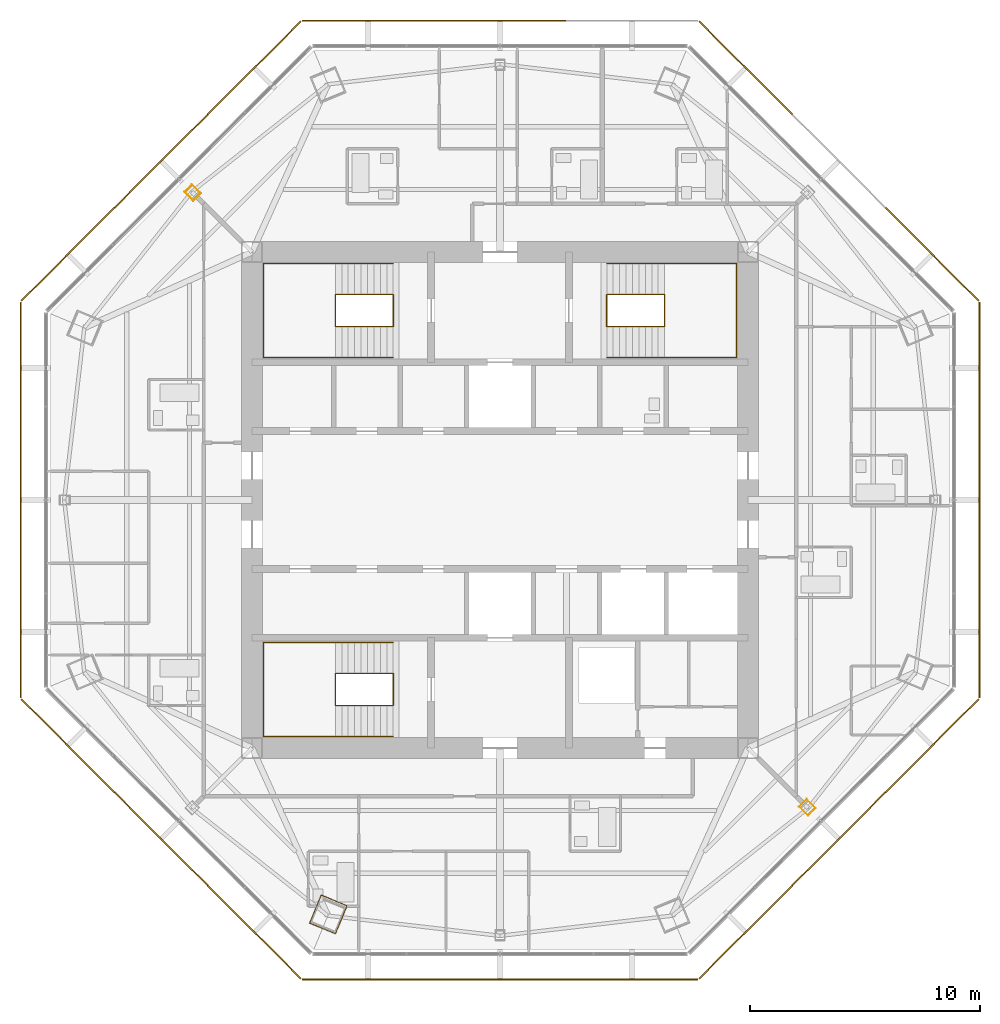
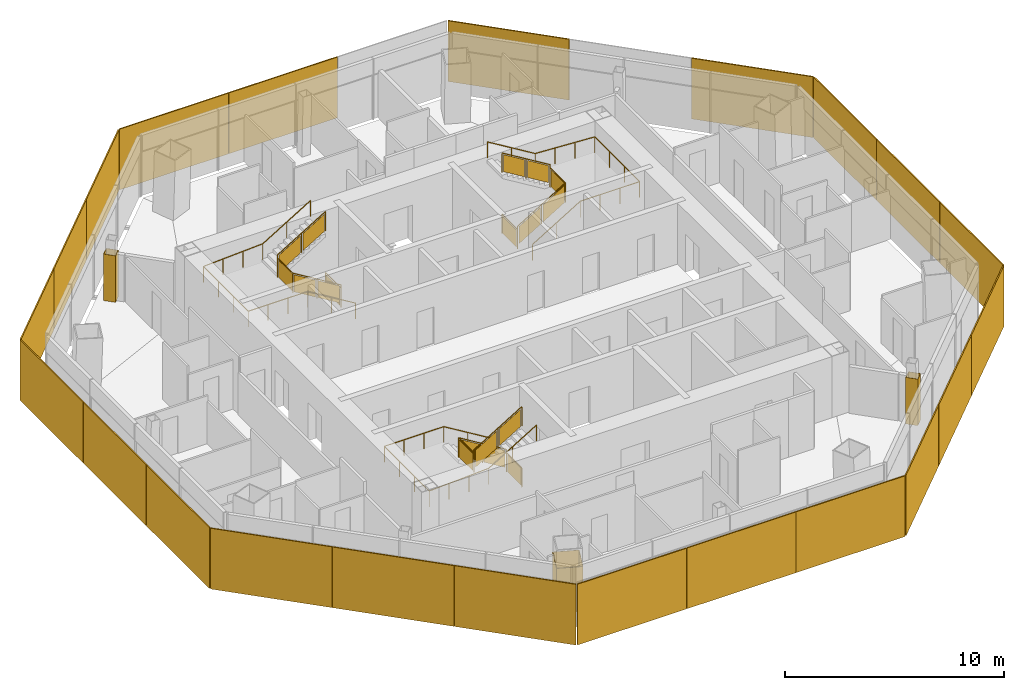
# One storey, part 13 of 15: 22 shading devices, 6 railings, 3 coverings.
"""IFC4 building model written with IfcOpenShell, lengths in metres."""

from ifc_helpers import new_model, si_unit, direction, frame, origin, origin_2d, place, context, subcontext, project, spatial, polyline, rectangle, circle, outline, extrude, source, transform, mapped, material, layer, layer_set, type_object, type_shapes, element, save


model = new_model("IFC4")

# Units and contexts
model_context = context("Model", 3, precision=1e-05, world=origin(), true_north=direction((0.0, 1.0)))
body_context = subcontext(model_context, "Body", "Model", "MODEL_VIEW")
ifc_project = project(units=[si_unit("LENGTHUNIT", "METRE"), si_unit("AREAUNIT", "SQUARE_METRE"), si_unit("VOLUMEUNIT", "CUBIC_METRE"), si_unit("PLANEANGLEUNIT", "RADIAN"), si_unit("MASSUNIT", "GRAM", prefix="KILO")], contexts=[model_context])

# Site, building, storey
site_placement = place(None, origin())
site = spatial("IfcSite", under=ifc_project, at=site_placement, CompositionType="ELEMENT")
building_placement = place(site_placement, origin())
building = spatial("IfcBuilding", under=site, at=building_placement, Name="Mashrafa Tower", CompositionType="ELEMENT")
storey_placement = place(building_placement, frame((0.0, 0.0, 291.199951171875)))
storey = spatial("IfcBuildingStorey", under=building, at=storey_placement, Name="L71", CompositionType="ELEMENT", Elevation=291.199951171875)

# Coverings
ifc_material_1 = material(Name="Gypsum board")
ifc_layer_1 = layer(ifc_material_1, 0.014892578125)
ifc_layer_set_1 = layer_set([ifc_layer_1], Name="Column casing plasterboard 15")
covering_type = type_object("IfcCoveringType", Name="Column casing plasterboard 15", PredefinedType="CLADDING", material=ifc_layer_set_1)
covering_1_placement = place(storey_placement, origin())
element("IfcCovering", 1, at=covering_1_placement, inside=storey, type_object=covering_type, Name="Column casing L71-001", PredefinedType="CLADDING", context=body_context, shape_type="SweptSolid", body=[
    extrude(outline(polyline([(-8.30029296875, -18.431884765625), (-8.2548828125, -18.322021484375), (-7.789794921875, -17.198974609375), (-6.6533203125, -17.669677734375), (-7.118408203125, -18.79248046875), (-7.1640625, -18.902587890625), (-8.30029296875, -18.431884765625)]), holes=[polyline([(-7.13232421875, -18.786865234375), (-6.6728515625, -17.677734375), (-7.781494140625, -17.218505859375), (-8.240966796875, -18.32763671875), (-8.28076171875, -18.423828125), (-7.172119140625, -18.883056640625), (-7.13232421875, -18.786865234375)])]), origin(), (0.0, 0.0, 1.0), 2.49658203125),
])
covering_2_placement = place(storey_placement, origin())
element("IfcCovering", 2, at=covering_2_placement, inside=storey, type_object=covering_type, Name="Column casing L71-002", PredefinedType="CLADDING", context=body_context, shape_type="SweptSolid", body=[
    extrude(outline(polyline([(-13.75830078125, 13.4189453125), (-13.4189453125, 13.75830078125), (-13.01123046875, 13.350830078125), (-13.350830078125, 13.01123046875), (-13.75830078125, 13.4189453125)]), holes=[polyline([(-13.03271484375, 13.350830078125), (-13.4189453125, 13.737060546875), (-13.737060546875, 13.4189453125), (-13.350830078125, 13.03271484375), (-13.03271484375, 13.350830078125)])]), origin(), (0.0, 0.0, 1.0), 2.590576171875),
])
covering_3_placement = place(storey_placement, origin())
element("IfcCovering", 3, at=covering_3_placement, inside=storey, type_object=covering_type, Name="Column casing L71-003", PredefinedType="CLADDING", context=body_context, shape_type="SweptSolid", body=[
    extrude(outline(polyline([(13.01123046875, -13.350830078125), (13.350830078125, -13.01123046875), (13.75830078125, -13.4189453125), (13.4189453125, -13.75830078125), (13.01123046875, -13.350830078125)]), holes=[polyline([(13.737060546875, -13.4189453125), (13.350830078125, -13.03271484375), (13.03271484375, -13.350830078125), (13.4189453125, -13.737060546875), (13.737060546875, -13.4189453125)])]), origin(), (0.0, 0.0, 1.0), 2.590576171875),
])

# Railings
ifc_material_2 = material(Name="Steel guard with glass infill", Category="steel")
railing_type_1 = type_object("IfcRailingType", Name="Stair guard 1100", PredefinedType="GUARDRAIL", material=ifc_material_2)
railing_1_placement = place(storey_placement, frame((-4.64990234375, 8.949951171875, 0.0)))
element("IfcRailing", 4, at=railing_1_placement, inside=storey, type_object=railing_type_1, Name="Stair S1 guard L71", PredefinedType="GUARDRAIL", context=body_context, shape_type="SweptSolid", body=[
    extrude(circle(Radius=0.02392578125, at=origin_2d()), frame((0.0, 0.0, 1.076171875), z_axis=(0.0, -1.0, 0.0), x_axis=(1.0, 0.0, 0.0)), (0.0, 0.0, 1.0), 1.39990234375),
    extrude(circle(Radius=0.02392578125, at=origin_2d()), frame((0.0, -1.39990234375, 1.076171875), z_axis=(0.0, 0.0, 1.0), x_axis=(1.0, 0.0, 0.0)), (0.0, 0.0, 1.0), 0.170166015625),
    extrude(circle(Radius=0.02392578125, at=origin_2d()), frame((0.0, -1.39990234375, 1.24609375), z_axis=(-0.854821627497, 0.0, 0.518921945155), x_axis=(0.0, -1.0, 0.0)), (0.0, 0.0, 1.0), 2.947998046875),
    extrude(circle(Radius=0.02392578125, at=origin_2d()), frame((-2.52001953125, -1.39990234375, 2.77587890625), z_axis=(0.0, 1.0, 0.0), x_axis=(-1.0, 0.0, 0.0)), (0.0, 0.0, 1.0), 1.39990234375),
    extrude(circle(Radius=0.02392578125, at=origin_2d()), frame((-2.52001953125, 0.0, 2.77587890625), z_axis=(0.0, 0.0, 1.0), x_axis=(1.0, 0.0, 0.0)), (0.0, 0.0, 1.0), 0.170166015625),
    extrude(circle(Radius=0.02392578125, at=origin_2d()), frame((-2.52001953125, 0.0, 2.9462890625), z_axis=(0.85478489116, 0.0, 0.518982456201), x_axis=(0.0, 1.0, 0.0)), (0.0, 0.0, 1.0), 2.9482421875),
    extrude(circle(Radius=0.02099609375, at=origin_2d()), origin(), (0.0, 0.0, 1.0), 1.052001953125),
    extrude(circle(Radius=0.02099609375, at=origin_2d()), frame((0.0, -1.39990234375, 0.0)), (0.0, 0.0, 1.0), 1.052001953125),
    extrude(circle(Radius=0.02099609375, at=origin_2d()), frame((0.0, -1.39990234375, 0.170166015625)), (0.0, 0.0, 1.0), 1.052001953125),
    extrude(circle(Radius=0.02099609375, at=origin_2d()), frame((-1.260009765625, -1.39990234375, 0.93505859375)), (0.0, 0.0, 1.0), 1.052001953125),
    extrude(circle(Radius=0.02099609375, at=origin_2d()), frame((-2.52001953125, -1.39990234375, 1.699951171875)), (0.0, 0.0, 1.0), 1.052001953125),
    extrude(circle(Radius=0.02099609375, at=origin_2d()), frame((-2.52001953125, 0.0, 1.699951171875)), (0.0, 0.0, 1.0), 1.052001953125),
    extrude(circle(Radius=0.02099609375, at=origin_2d()), frame((-2.52001953125, 0.0, 1.8701171875)), (0.0, 0.0, 1.0), 1.052001953125),
    extrude(circle(Radius=0.02099609375, at=origin_2d()), frame((-1.260009765625, 0.0, 2.63525390625)), (0.0, 0.0, 1.0), 1.052001953125),
    extrude(circle(Radius=0.02099609375, at=origin_2d()), frame((0.0, 0.0, 3.400146484375)), (0.0, 0.0, 1.0), 1.052001953125),
    extrude(outline(polyline([(0.071044921875, 0.050048828125), (1.328857421875, 0.050048828125), (1.328857421875, 1.001953125), (0.071044921875, 1.001953125), (0.071044921875, 0.050048828125)])), frame((-0.006103515625, 0.0, 0.0), z_axis=(-1.0, 0.0, 0.0), x_axis=(0.0, -1.0, 0.0)), (0.0, 0.0, 1.0), 0.011962890625),
    extrude(outline(polyline([(0.071044921875, 0.093017578125), (1.18896484375, 0.771728515625), (1.18896484375, 1.723876953125), (0.071044921875, 1.045166015625), (0.071044921875, 0.093017578125)])), frame((0.0, -1.393798828125, 0.170166015625), z_axis=(0.0, 1.0, 0.0), x_axis=(-1.0, 0.0, 0.0)), (0.0, 0.0, 1.0), 0.011962890625),
    extrude(outline(polyline([(1.3310546875, 0.85791015625), (2.448974609375, 1.53662109375), (2.448974609375, 2.48876953125), (1.3310546875, 1.81005859375), (1.3310546875, 0.85791015625)])), frame((0.0, -1.393798828125, 0.170166015625), z_axis=(0.0, 1.0, 0.0), x_axis=(-1.0, 0.0, 0.0)), (0.0, 0.0, 1.0), 0.011962890625),
    extrude(outline(polyline([(0.071044921875, 0.050048828125), (1.328857421875, 0.050048828125), (1.328857421875, 1.001953125), (0.071044921875, 1.001953125), (0.071044921875, 0.050048828125)])), frame((-2.513916015625, -1.39990234375, 1.699951171875), z_axis=(1.0, 0.0, 0.0), x_axis=(0.0, 1.0, 0.0)), (0.0, 0.0, 1.0), 0.011962890625),
    extrude(outline(polyline([(0.071044921875, 0.093017578125), (1.18896484375, 0.77197265625), (1.18896484375, 1.723876953125), (0.071044921875, 1.045166015625), (0.071044921875, 0.093017578125)])), frame((-2.52001953125, -0.006103515625, 1.8701171875), z_axis=(0.0, -1.0, 0.0), x_axis=(1.0, 0.0, 0.0)), (0.0, 0.0, 1.0), 0.011962890625),
    extrude(outline(polyline([(1.3310546875, 0.858154296875), (2.448974609375, 1.536865234375), (2.448974609375, 2.489013671875), (1.3310546875, 1.81005859375), (1.3310546875, 0.858154296875)])), frame((-2.52001953125, -0.006103515625, 1.8701171875), z_axis=(0.0, -1.0, 0.0), x_axis=(1.0, 0.0, 0.0)), (0.0, 0.0, 1.0), 0.011962890625),
])
railing_2_placement = place(storey_placement, frame((4.64990234375, 8.949951171875, 0.0)))
element("IfcRailing", 5, at=railing_2_placement, inside=storey, type_object=railing_type_1, Name="Stair S2 guard L71", PredefinedType="GUARDRAIL", context=body_context, shape_type="SweptSolid", body=[
    extrude(circle(Radius=0.02392578125, at=origin_2d()), frame((0.0, 0.0, 1.076171875), z_axis=(0.0, -1.0, 0.0), x_axis=(1.0, 0.0, 0.0)), (0.0, 0.0, 1.0), 1.39990234375),
    extrude(circle(Radius=0.02392578125, at=origin_2d()), frame((0.0, -1.39990234375, 1.076171875), z_axis=(0.0, 0.0, 1.0), x_axis=(1.0, 0.0, 0.0)), (0.0, 0.0, 1.0), 0.170166015625),
    extrude(circle(Radius=0.02392578125, at=origin_2d()), frame((0.0, -1.39990234375, 1.24609375), z_axis=(0.854821627497, 0.0, 0.518921945155), x_axis=(0.0, 1.0, 0.0)), (0.0, 0.0, 1.0), 2.947998046875),
    extrude(circle(Radius=0.02392578125, at=origin_2d()), frame((2.52001953125, -1.39990234375, 2.77587890625), z_axis=(0.0, 1.0, 0.0), x_axis=(-1.0, 0.0, 0.0)), (0.0, 0.0, 1.0), 1.39990234375),
    extrude(circle(Radius=0.02392578125, at=origin_2d()), frame((2.52001953125, 0.0, 2.77587890625), z_axis=(0.0, 0.0, 1.0), x_axis=(1.0, 0.0, 0.0)), (0.0, 0.0, 1.0), 0.170166015625),
    extrude(circle(Radius=0.02392578125, at=origin_2d()), frame((2.52001953125, 0.0, 2.9462890625), z_axis=(-0.85478489116, 0.0, 0.518982456201), x_axis=(0.0, -1.0, 0.0)), (0.0, 0.0, 1.0), 2.9482421875),
    extrude(circle(Radius=0.02099609375, at=origin_2d()), origin(), (0.0, 0.0, 1.0), 1.052001953125),
    extrude(circle(Radius=0.02099609375, at=origin_2d()), frame((0.0, -1.39990234375, 0.0)), (0.0, 0.0, 1.0), 1.052001953125),
    extrude(circle(Radius=0.02099609375, at=origin_2d()), frame((0.0, -1.39990234375, 0.170166015625)), (0.0, 0.0, 1.0), 1.052001953125),
    extrude(circle(Radius=0.02099609375, at=origin_2d()), frame((1.260009765625, -1.39990234375, 0.93505859375)), (0.0, 0.0, 1.0), 1.052001953125),
    extrude(circle(Radius=0.02099609375, at=origin_2d()), frame((2.52001953125, -1.39990234375, 1.699951171875)), (0.0, 0.0, 1.0), 1.052001953125),
    extrude(circle(Radius=0.02099609375, at=origin_2d()), frame((2.52001953125, 0.0, 1.699951171875)), (0.0, 0.0, 1.0), 1.052001953125),
    extrude(circle(Radius=0.02099609375, at=origin_2d()), frame((2.52001953125, 0.0, 1.8701171875)), (0.0, 0.0, 1.0), 1.052001953125),
    extrude(circle(Radius=0.02099609375, at=origin_2d()), frame((1.260009765625, 0.0, 2.63525390625)), (0.0, 0.0, 1.0), 1.052001953125),
    extrude(circle(Radius=0.02099609375, at=origin_2d()), frame((0.0, 0.0, 3.400146484375)), (0.0, 0.0, 1.0), 1.052001953125),
    extrude(outline(polyline([(0.071044921875, 0.050048828125), (1.328857421875, 0.050048828125), (1.328857421875, 1.001953125), (0.071044921875, 1.001953125), (0.071044921875, 0.050048828125)])), frame((-0.006103515625, 0.0, 0.0), z_axis=(-1.0, 0.0, 0.0), x_axis=(0.0, -1.0, 0.0)), (0.0, 0.0, 1.0), 0.011962890625),
    extrude(outline(polyline([(0.071044921875, 0.093017578125), (1.18896484375, 0.771728515625), (1.18896484375, 1.723876953125), (0.071044921875, 1.045166015625), (0.071044921875, 0.093017578125)])), frame((0.0, -1.406005859375, 0.170166015625), z_axis=(0.0, -1.0, 0.0), x_axis=(1.0, 0.0, 0.0)), (0.0, 0.0, 1.0), 0.011962890625),
    extrude(outline(polyline([(1.3310546875, 0.85791015625), (2.448974609375, 1.53662109375), (2.448974609375, 2.48876953125), (1.3310546875, 1.81005859375), (1.3310546875, 0.85791015625)])), frame((0.0, -1.406005859375, 0.170166015625), z_axis=(0.0, -1.0, 0.0), x_axis=(1.0, 0.0, 0.0)), (0.0, 0.0, 1.0), 0.011962890625),
    extrude(outline(polyline([(0.071044921875, 0.050048828125), (1.328857421875, 0.050048828125), (1.328857421875, 1.001953125), (0.071044921875, 1.001953125), (0.071044921875, 0.050048828125)])), frame((2.526123046875, -1.39990234375, 1.699951171875), z_axis=(1.0, 0.0, 0.0), x_axis=(0.0, 1.0, 0.0)), (0.0, 0.0, 1.0), 0.011962890625),
    extrude(outline(polyline([(0.071044921875, 0.093017578125), (1.18896484375, 0.77197265625), (1.18896484375, 1.723876953125), (0.071044921875, 1.045166015625), (0.071044921875, 0.093017578125)])), frame((2.52001953125, 0.006103515625, 1.8701171875), z_axis=(0.0, 1.0, 0.0), x_axis=(-1.0, 0.0, 0.0)), (0.0, 0.0, 1.0), 0.011962890625),
    extrude(outline(polyline([(1.3310546875, 0.858154296875), (2.448974609375, 1.536865234375), (2.448974609375, 2.489013671875), (1.3310546875, 1.81005859375), (1.3310546875, 0.858154296875)])), frame((2.52001953125, 0.006103515625, 1.8701171875), z_axis=(0.0, 1.0, 0.0), x_axis=(-1.0, 0.0, 0.0)), (0.0, 0.0, 1.0), 0.011962890625),
])
railing_3_placement = place(storey_placement, frame((-4.64990234375, -8.949951171875, 0.0)))
element("IfcRailing", 6, at=railing_3_placement, inside=storey, type_object=railing_type_1, Name="Stair S3 guard L71", PredefinedType="GUARDRAIL", context=body_context, shape_type="SweptSolid", body=[
    extrude(circle(Radius=0.02392578125, at=origin_2d()), frame((0.0, 0.0, 1.076171875), z_axis=(0.0, 1.0, 0.0), x_axis=(-1.0, 0.0, 0.0)), (0.0, 0.0, 1.0), 1.39990234375),
    extrude(circle(Radius=0.02392578125, at=origin_2d()), frame((0.0, 1.39990234375, 1.076171875), z_axis=(0.0, 0.0, 1.0), x_axis=(1.0, 0.0, 0.0)), (0.0, 0.0, 1.0), 0.170166015625),
    extrude(circle(Radius=0.02392578125, at=origin_2d()), frame((0.0, 1.39990234375, 1.24609375), z_axis=(-0.854821627497, 0.0, 0.518921945155), x_axis=(0.0, -1.0, 0.0)), (0.0, 0.0, 1.0), 2.947998046875),
    extrude(circle(Radius=0.02392578125, at=origin_2d()), frame((-2.52001953125, 1.39990234375, 2.77587890625), z_axis=(0.0, -1.0, 0.0), x_axis=(1.0, 0.0, 0.0)), (0.0, 0.0, 1.0), 1.39990234375),
    extrude(circle(Radius=0.02392578125, at=origin_2d()), frame((-2.52001953125, 0.0, 2.77587890625), z_axis=(0.0, 0.0, 1.0), x_axis=(1.0, 0.0, 0.0)), (0.0, 0.0, 1.0), 0.170166015625),
    extrude(circle(Radius=0.02392578125, at=origin_2d()), frame((-2.52001953125, 0.0, 2.9462890625), z_axis=(0.85478489116, 0.0, 0.518982456201), x_axis=(0.0, 1.0, 0.0)), (0.0, 0.0, 1.0), 2.9482421875),
    extrude(circle(Radius=0.02099609375, at=origin_2d()), origin(), (0.0, 0.0, 1.0), 1.052001953125),
    extrude(circle(Radius=0.02099609375, at=origin_2d()), frame((0.0, 1.39990234375, 0.0)), (0.0, 0.0, 1.0), 1.052001953125),
    extrude(circle(Radius=0.02099609375, at=origin_2d()), frame((0.0, 1.39990234375, 0.170166015625)), (0.0, 0.0, 1.0), 1.052001953125),
    extrude(circle(Radius=0.02099609375, at=origin_2d()), frame((-1.260009765625, 1.39990234375, 0.93505859375)), (0.0, 0.0, 1.0), 1.052001953125),
    extrude(circle(Radius=0.02099609375, at=origin_2d()), frame((-2.52001953125, 1.39990234375, 1.699951171875)), (0.0, 0.0, 1.0), 1.052001953125),
    extrude(circle(Radius=0.02099609375, at=origin_2d()), frame((-2.52001953125, 0.0, 1.699951171875)), (0.0, 0.0, 1.0), 1.052001953125),
    extrude(circle(Radius=0.02099609375, at=origin_2d()), frame((-2.52001953125, 0.0, 1.8701171875)), (0.0, 0.0, 1.0), 1.052001953125),
    extrude(circle(Radius=0.02099609375, at=origin_2d()), frame((-1.260009765625, 0.0, 2.63525390625)), (0.0, 0.0, 1.0), 1.052001953125),
    extrude(circle(Radius=0.02099609375, at=origin_2d()), frame((0.0, 0.0, 3.400146484375)), (0.0, 0.0, 1.0), 1.052001953125),
    extrude(outline(polyline([(0.071044921875, 0.050048828125), (1.328857421875, 0.050048828125), (1.328857421875, 1.001953125), (0.071044921875, 1.001953125), (0.071044921875, 0.050048828125)])), frame((0.006103515625, 0.0, 0.0), z_axis=(1.0, 0.0, 0.0), x_axis=(0.0, 1.0, 0.0)), (0.0, 0.0, 1.0), 0.011962890625),
    extrude(outline(polyline([(0.071044921875, 0.093017578125), (1.18896484375, 0.771728515625), (1.18896484375, 1.723876953125), (0.071044921875, 1.045166015625), (0.071044921875, 0.093017578125)])), frame((0.0, 1.406005859375, 0.170166015625), z_axis=(0.0, 1.0, 0.0), x_axis=(-1.0, 0.0, 0.0)), (0.0, 0.0, 1.0), 0.011962890625),
    extrude(outline(polyline([(1.3310546875, 0.85791015625), (2.448974609375, 1.53662109375), (2.448974609375, 2.48876953125), (1.3310546875, 1.81005859375), (1.3310546875, 0.85791015625)])), frame((0.0, 1.406005859375, 0.170166015625), z_axis=(0.0, 1.0, 0.0), x_axis=(-1.0, 0.0, 0.0)), (0.0, 0.0, 1.0), 0.011962890625),
    extrude(outline(polyline([(0.071044921875, 0.050048828125), (1.328857421875, 0.050048828125), (1.328857421875, 1.001953125), (0.071044921875, 1.001953125), (0.071044921875, 0.050048828125)])), frame((-2.526123046875, 1.39990234375, 1.699951171875), z_axis=(-1.0, 0.0, 0.0), x_axis=(0.0, -1.0, 0.0)), (0.0, 0.0, 1.0), 0.011962890625),
    extrude(outline(polyline([(0.071044921875, 0.093017578125), (1.18896484375, 0.77197265625), (1.18896484375, 1.723876953125), (0.071044921875, 1.045166015625), (0.071044921875, 0.093017578125)])), frame((-2.52001953125, -0.006103515625, 1.8701171875), z_axis=(0.0, -1.0, 0.0), x_axis=(1.0, 0.0, 0.0)), (0.0, 0.0, 1.0), 0.011962890625),
    extrude(outline(polyline([(1.3310546875, 0.858154296875), (2.448974609375, 1.536865234375), (2.448974609375, 2.489013671875), (1.3310546875, 1.81005859375), (1.3310546875, 0.858154296875)])), frame((-2.52001953125, -0.006103515625, 1.8701171875), z_axis=(0.0, -1.0, 0.0), x_axis=(1.0, 0.0, 0.0)), (0.0, 0.0, 1.0), 0.011962890625),
])
ifc_material_3 = material(Name="Steel", Category="steel")
railing_type_2 = type_object("IfcRailingType", Name="Stair handrail 900", PredefinedType="HANDRAIL", material=ifc_material_3)
railing_4_placement = place(storey_placement, frame((-4.64990234375, 6.199951171875, 0.170166015625)))
element("IfcRailing", 7, at=railing_4_placement, inside=storey, type_object=railing_type_2, Name="Stair S1 handrail L71", PredefinedType="HANDRAIL", context=body_context, shape_type="SweptSolid", body=[
    extrude(circle(Radius=0.02392578125, at=origin_2d()), frame((0.0, 0.0, 0.8759765625), z_axis=(-0.854821627497, 0.0, 0.518921945155), x_axis=(0.0, -1.0, 0.0)), (0.0, 0.0, 1.0), 2.947998046875),
    extrude(circle(Radius=0.02392578125, at=origin_2d()), frame((-2.52001953125, 0.0, 2.40576171875), z_axis=(-1.0, 0.0, 0.0), x_axis=(0.0, -1.0, 0.0)), (0.0, 0.0, 1.0), 3.130126953125),
    extrude(circle(Radius=0.02392578125, at=origin_2d()), frame((-5.650146484375, 0.0, 2.40576171875), z_axis=(0.0, 1.0, 0.0), x_axis=(-1.0, 0.0, 0.0)), (0.0, 0.0, 1.0), 4.10009765625),
    extrude(circle(Radius=0.02392578125, at=origin_2d()), frame((-5.650146484375, 4.10009765625, 2.40576171875), z_axis=(0.998525548763, 0.0, 0.054283777201), x_axis=(0.0, 1.0, 0.0)), (0.0, 0.0, 1.0), 3.134765625),
    extrude(circle(Radius=0.02392578125, at=origin_2d()), frame((-2.52001953125, 4.10009765625, 2.57568359375), z_axis=(0.85478489116, 0.0, 0.518982456201), x_axis=(0.0, 1.0, 0.0)), (0.0, 0.0, 1.0), 2.9482421875),
    extrude(circle(Radius=0.02099609375, at=origin_2d()), origin(), (0.0, 0.0, 1.0), 0.851806640625),
    extrude(circle(Radius=0.02099609375, at=origin_2d()), frame((-1.260009765625, 0.0, 0.764892578125)), (0.0, 0.0, 1.0), 0.851806640625),
    extrude(circle(Radius=0.02099609375, at=origin_2d()), frame((-2.52001953125, 0.0, 1.52978515625)), (0.0, 0.0, 1.0), 0.851806640625),
    extrude(circle(Radius=0.02099609375, at=origin_2d()), frame((-3.5634765625, 0.0, 1.52978515625)), (0.0, 0.0, 1.0), 0.851806640625),
    extrude(circle(Radius=0.02099609375, at=origin_2d()), frame((-4.606689453125, 0.0, 1.52978515625)), (0.0, 0.0, 1.0), 0.851806640625),
    extrude(circle(Radius=0.02099609375, at=origin_2d()), frame((-5.650146484375, 0.0, 1.52978515625)), (0.0, 0.0, 1.0), 0.851806640625),
    extrude(circle(Radius=0.02099609375, at=origin_2d()), frame((-5.650146484375, 1.36669921875, 1.52978515625)), (0.0, 0.0, 1.0), 0.851806640625),
    extrude(circle(Radius=0.02099609375, at=origin_2d()), frame((-5.650146484375, 2.7333984375, 1.52978515625)), (0.0, 0.0, 1.0), 0.851806640625),
    extrude(circle(Radius=0.02099609375, at=origin_2d()), frame((-5.650146484375, 4.10009765625, 1.52978515625)), (0.0, 0.0, 1.0), 0.851806640625),
    extrude(circle(Radius=0.02099609375, at=origin_2d()), frame((-4.606689453125, 4.10009765625, 1.58642578125)), (0.0, 0.0, 1.0), 0.851806640625),
    extrude(circle(Radius=0.02099609375, at=origin_2d()), frame((-3.5634765625, 4.10009765625, 1.643310546875)), (0.0, 0.0, 1.0), 0.851806640625),
    extrude(circle(Radius=0.02099609375, at=origin_2d()), frame((-2.52001953125, 4.10009765625, 1.699951171875)), (0.0, 0.0, 1.0), 0.851806640625),
    extrude(circle(Radius=0.02099609375, at=origin_2d()), frame((-1.260009765625, 4.10009765625, 2.46484375)), (0.0, 0.0, 1.0), 0.851806640625),
    extrude(circle(Radius=0.02099609375, at=origin_2d()), frame((0.0, 4.10009765625, 3.22998046875)), (0.0, 0.0, 1.0), 0.851806640625),
])
railing_5_placement = place(storey_placement, frame((4.64990234375, 6.199951171875, 0.170166015625)))
element("IfcRailing", 8, at=railing_5_placement, inside=storey, type_object=railing_type_2, Name="Stair S2 handrail L71", PredefinedType="HANDRAIL", context=body_context, shape_type="SweptSolid", body=[
    extrude(circle(Radius=0.02392578125, at=origin_2d()), frame((0.0, 0.0, 0.8759765625), z_axis=(0.854821627497, 0.0, 0.518921945155), x_axis=(0.0, 1.0, 0.0)), (0.0, 0.0, 1.0), 2.947998046875),
    extrude(circle(Radius=0.02392578125, at=origin_2d()), frame((2.52001953125, 0.0, 2.40576171875), z_axis=(1.0, 0.0, 0.0), x_axis=(0.0, 1.0, 0.0)), (0.0, 0.0, 1.0), 3.130126953125),
    extrude(circle(Radius=0.02392578125, at=origin_2d()), frame((5.650146484375, 0.0, 2.40576171875), z_axis=(0.0, 1.0, 0.0), x_axis=(-1.0, 0.0, 0.0)), (0.0, 0.0, 1.0), 4.10009765625),
    extrude(circle(Radius=0.02392578125, at=origin_2d()), frame((5.650146484375, 4.10009765625, 2.40576171875), z_axis=(-0.998525548763, 0.0, 0.054283777201), x_axis=(0.0, -1.0, 0.0)), (0.0, 0.0, 1.0), 3.134765625),
    extrude(circle(Radius=0.02392578125, at=origin_2d()), frame((2.52001953125, 4.10009765625, 2.57568359375), z_axis=(-0.85478489116, 0.0, 0.518982456201), x_axis=(0.0, -1.0, 0.0)), (0.0, 0.0, 1.0), 2.9482421875),
    extrude(circle(Radius=0.02099609375, at=origin_2d()), origin(), (0.0, 0.0, 1.0), 0.851806640625),
    extrude(circle(Radius=0.02099609375, at=origin_2d()), frame((1.260009765625, 0.0, 0.764892578125)), (0.0, 0.0, 1.0), 0.851806640625),
    extrude(circle(Radius=0.02099609375, at=origin_2d()), frame((2.52001953125, 0.0, 1.52978515625)), (0.0, 0.0, 1.0), 0.851806640625),
    extrude(circle(Radius=0.02099609375, at=origin_2d()), frame((3.5634765625, 0.0, 1.52978515625)), (0.0, 0.0, 1.0), 0.851806640625),
    extrude(circle(Radius=0.02099609375, at=origin_2d()), frame((4.606689453125, 0.0, 1.52978515625)), (0.0, 0.0, 1.0), 0.851806640625),
    extrude(circle(Radius=0.02099609375, at=origin_2d()), frame((5.650146484375, 0.0, 1.52978515625)), (0.0, 0.0, 1.0), 0.851806640625),
    extrude(circle(Radius=0.02099609375, at=origin_2d()), frame((5.650146484375, 1.36669921875, 1.52978515625)), (0.0, 0.0, 1.0), 0.851806640625),
    extrude(circle(Radius=0.02099609375, at=origin_2d()), frame((5.650146484375, 2.7333984375, 1.52978515625)), (0.0, 0.0, 1.0), 0.851806640625),
    extrude(circle(Radius=0.02099609375, at=origin_2d()), frame((5.650146484375, 4.10009765625, 1.52978515625)), (0.0, 0.0, 1.0), 0.851806640625),
    extrude(circle(Radius=0.02099609375, at=origin_2d()), frame((4.606689453125, 4.10009765625, 1.58642578125)), (0.0, 0.0, 1.0), 0.851806640625),
    extrude(circle(Radius=0.02099609375, at=origin_2d()), frame((3.5634765625, 4.10009765625, 1.643310546875)), (0.0, 0.0, 1.0), 0.851806640625),
    extrude(circle(Radius=0.02099609375, at=origin_2d()), frame((2.52001953125, 4.10009765625, 1.699951171875)), (0.0, 0.0, 1.0), 0.851806640625),
    extrude(circle(Radius=0.02099609375, at=origin_2d()), frame((1.260009765625, 4.10009765625, 2.46484375)), (0.0, 0.0, 1.0), 0.851806640625),
    extrude(circle(Radius=0.02099609375, at=origin_2d()), frame((0.0, 4.10009765625, 3.22998046875)), (0.0, 0.0, 1.0), 0.851806640625),
])
railing_6_placement = place(storey_placement, frame((-4.64990234375, -6.199951171875, 0.170166015625)))
element("IfcRailing", 9, at=railing_6_placement, inside=storey, type_object=railing_type_2, Name="Stair S3 handrail L71", PredefinedType="HANDRAIL", context=body_context, shape_type="SweptSolid", body=[
    extrude(circle(Radius=0.02392578125, at=origin_2d()), frame((0.0, 0.0, 0.8759765625), z_axis=(-0.854821627497, 0.0, 0.518921945155), x_axis=(0.0, -1.0, 0.0)), (0.0, 0.0, 1.0), 2.947998046875),
    extrude(circle(Radius=0.02392578125, at=origin_2d()), frame((-2.52001953125, 0.0, 2.40576171875), z_axis=(-1.0, 0.0, 0.0), x_axis=(0.0, -1.0, 0.0)), (0.0, 0.0, 1.0), 3.130126953125),
    extrude(circle(Radius=0.02392578125, at=origin_2d()), frame((-5.650146484375, 0.0, 2.40576171875), z_axis=(0.0, -1.0, 0.0), x_axis=(1.0, 0.0, 0.0)), (0.0, 0.0, 1.0), 4.10009765625),
    extrude(circle(Radius=0.02392578125, at=origin_2d()), frame((-5.650146484375, -4.10009765625, 2.40576171875), z_axis=(0.998525548763, 0.0, 0.054283777201), x_axis=(0.0, 1.0, 0.0)), (0.0, 0.0, 1.0), 3.134765625),
    extrude(circle(Radius=0.02392578125, at=origin_2d()), frame((-2.52001953125, -4.10009765625, 2.57568359375), z_axis=(0.85478489116, 0.0, 0.518982456201), x_axis=(0.0, 1.0, 0.0)), (0.0, 0.0, 1.0), 2.9482421875),
    extrude(circle(Radius=0.02099609375, at=origin_2d()), origin(), (0.0, 0.0, 1.0), 0.851806640625),
    extrude(circle(Radius=0.02099609375, at=origin_2d()), frame((-1.260009765625, 0.0, 0.764892578125)), (0.0, 0.0, 1.0), 0.851806640625),
    extrude(circle(Radius=0.02099609375, at=origin_2d()), frame((-2.52001953125, 0.0, 1.52978515625)), (0.0, 0.0, 1.0), 0.851806640625),
    extrude(circle(Radius=0.02099609375, at=origin_2d()), frame((-3.5634765625, 0.0, 1.52978515625)), (0.0, 0.0, 1.0), 0.851806640625),
    extrude(circle(Radius=0.02099609375, at=origin_2d()), frame((-4.606689453125, 0.0, 1.52978515625)), (0.0, 0.0, 1.0), 0.851806640625),
    extrude(circle(Radius=0.02099609375, at=origin_2d()), frame((-5.650146484375, 0.0, 1.52978515625)), (0.0, 0.0, 1.0), 0.851806640625),
    extrude(circle(Radius=0.02099609375, at=origin_2d()), frame((-5.650146484375, -1.36669921875, 1.52978515625)), (0.0, 0.0, 1.0), 0.851806640625),
    extrude(circle(Radius=0.02099609375, at=origin_2d()), frame((-5.650146484375, -2.7333984375, 1.52978515625)), (0.0, 0.0, 1.0), 0.851806640625),
    extrude(circle(Radius=0.02099609375, at=origin_2d()), frame((-5.650146484375, -4.10009765625, 1.52978515625)), (0.0, 0.0, 1.0), 0.851806640625),
    extrude(circle(Radius=0.02099609375, at=origin_2d()), frame((-4.606689453125, -4.10009765625, 1.58642578125)), (0.0, 0.0, 1.0), 0.851806640625),
    extrude(circle(Radius=0.02099609375, at=origin_2d()), frame((-3.5634765625, -4.10009765625, 1.643310546875)), (0.0, 0.0, 1.0), 0.851806640625),
    extrude(circle(Radius=0.02099609375, at=origin_2d()), frame((-2.52001953125, -4.10009765625, 1.699951171875)), (0.0, 0.0, 1.0), 0.851806640625),
    extrude(circle(Radius=0.02099609375, at=origin_2d()), frame((-1.260009765625, -4.10009765625, 2.46484375)), (0.0, 0.0, 1.0), 0.851806640625),
    extrude(circle(Radius=0.02099609375, at=origin_2d()), frame((0.0, -4.10009765625, 3.22998046875)), (0.0, 0.0, 1.0), 0.851806640625),
])

# Shading devices
ifc_material_4 = material(Name="Perforated aluminium plate, eight-point star pattern", Category="aluminium")
ifc_layer_2 = layer(ifc_material_4, 0.06005859375)
ifc_layer_set_2 = layer_set([ifc_layer_2], Name="Mashrabiya screen panel apartment zone 4, 22 percent open")
shading_device_type = type_object("IfcShadingDeviceType", Name="Mashrabiya screen panel apartment zone 4, 22 percent open", PredefinedType="SHUTTER", material=ifc_layer_set_2)
shared_shape = source(origin(), body_context, "Body", "SweptSolid", [
    extrude(rectangle(XDim=5.72998046875, YDim=0.06005859375, at=origin_2d()), origin(), (0.0, 0.0, 1.0), 3.3798828125),
])
type_shapes(shading_device_type, [shared_shape])
for number, where, z_axis, x_axis, name in (
    (10, (20.877197265625, -5.75, -0.14990234375), (0.0, 0.0, 1.0), (0.0, 1.0, 0.0), "Mashrabiya screen L71 east 1"),
    (11, (20.877197265625, 0.0, -0.14990234375), (0.0, 0.0, 1.0), (0.0, 1.0, 0.0), "Mashrabiya screen L71 east 2"),
    (12, (20.877197265625, 5.75, -0.14990234375), (0.0, 0.0, 1.0), (0.0, 1.0, 0.0), "Mashrabiya screen L71 east 3"),
    (13, (18.828369140625, 10.6962890625, -0.14990234375), (0.0, 0.0, 1.0), (-0.707106781187, 0.707106781187, 0.0), "Mashrabiya screen L71 north-east 1"),
    (14, (10.6962890625, 18.828369140625, -0.14990234375), (0.0, 0.0, 1.0), (-0.707106781187, 0.707106781187, 0.0), "Mashrabiya screen L71 north-east 3"),
    (15, (0.0, 20.877197265625, -0.14990234375), (0.0, 0.0, 1.0), (-1.0, 0.0, 0.0), "Mashrabiya screen L71 north 2"),
    (16, (-5.75, 20.877197265625, -0.14990234375), (0.0, 0.0, 1.0), (-1.0, 0.0, 0.0), "Mashrabiya screen L71 north 3"),
    (17, (-10.6962890625, 18.828369140625, -0.14990234375), (0.0, 0.0, 1.0), (-0.707106781187, -0.707106781187, 0.0), "Mashrabiya screen L71 north-west 1"),
    (18, (-14.762451171875, 14.762451171875, -0.14990234375), (0.0, 0.0, 1.0), (-0.707106781187, -0.707106781187, 0.0), "Mashrabiya screen L71 north-west 2"),
    (19, (-18.828369140625, 10.6962890625, -0.14990234375), (0.0, 0.0, 1.0), (-0.707106781187, -0.707106781187, 0.0), "Mashrabiya screen L71 north-west 3"),
    (20, (-20.877197265625, 5.75, -0.14990234375), (0.0, 0.0, 1.0), (0.0, -1.0, 0.0), "Mashrabiya screen L71 west 1"),
    (21, (-20.877197265625, 0.0, -0.14990234375), (0.0, 0.0, 1.0), (0.0, -1.0, 0.0), "Mashrabiya screen L71 west 2"),
    (22, (-20.877197265625, -5.75, -0.14990234375), (0.0, 0.0, 1.0), (0.0, -1.0, 0.0), "Mashrabiya screen L71 west 3"),
    (23, (-18.828369140625, -10.6962890625, -0.14990234375), (0.0, 0.0, 1.0), (0.707106781187, -0.707106781187, 0.0), "Mashrabiya screen L71 south-west 1"),
    (24, (-14.762451171875, -14.762451171875, -0.14990234375), (0.0, 0.0, 1.0), (0.707106781187, -0.707106781187, 0.0), "Mashrabiya screen L71 south-west 2"),
    (25, (-10.6962890625, -18.828369140625, -0.14990234375), (0.0, 0.0, 1.0), (0.707106781187, -0.707106781187, 0.0), "Mashrabiya screen L71 south-west 3"),
    (26, (-5.75, -20.877197265625, -0.14990234375), (0.0, 0.0, 1.0), (1.0, 0.0, 0.0), "Mashrabiya screen L71 south 1"),
    (27, (0.0, -20.877197265625, -0.14990234375), (0.0, 0.0, 1.0), (1.0, 0.0, 0.0), "Mashrabiya screen L71 south 2"),
    (28, (5.75, -20.877197265625, -0.14990234375), (0.0, 0.0, 1.0), (1.0, 0.0, 0.0), "Mashrabiya screen L71 south 3"),
    (29, (10.6962890625, -18.828369140625, -0.14990234375), (0.0, 0.0, 1.0), (0.707106781187, 0.707106781187, 0.0), "Mashrabiya screen L71 south-east 1"),
    (30, (14.762451171875, -14.762451171875, -0.14990234375), (0.0, 0.0, 1.0), (0.707106781187, 0.707106781187, 0.0), "Mashrabiya screen L71 south-east 2"),
    (31, (18.828369140625, -10.6962890625, -0.14990234375), (0.0, 0.0, 1.0), (0.707106781187, 0.707106781187, 0.0), "Mashrabiya screen L71 south-east 3"),
):
    element("IfcShadingDevice", number, at=place(storey_placement, frame(where, z_axis=z_axis, x_axis=x_axis)), inside=storey, type_object=shading_device_type, Name=name, PredefinedType="SHUTTER", context=body_context, shape_type="MappedRepresentation", body=[
        mapped(shared_shape, transform((0.0, 0.0, 0.0))),
    ])

save(model, "model.ifc")
